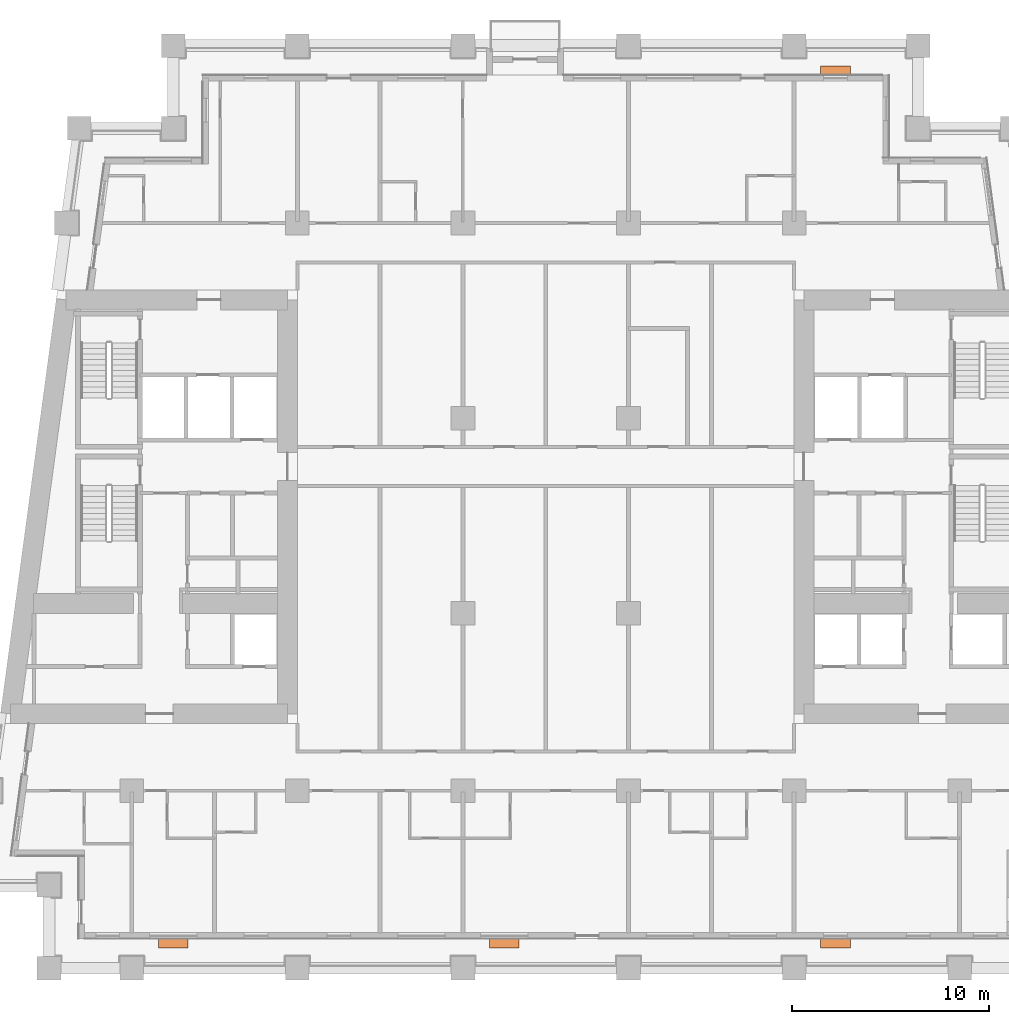
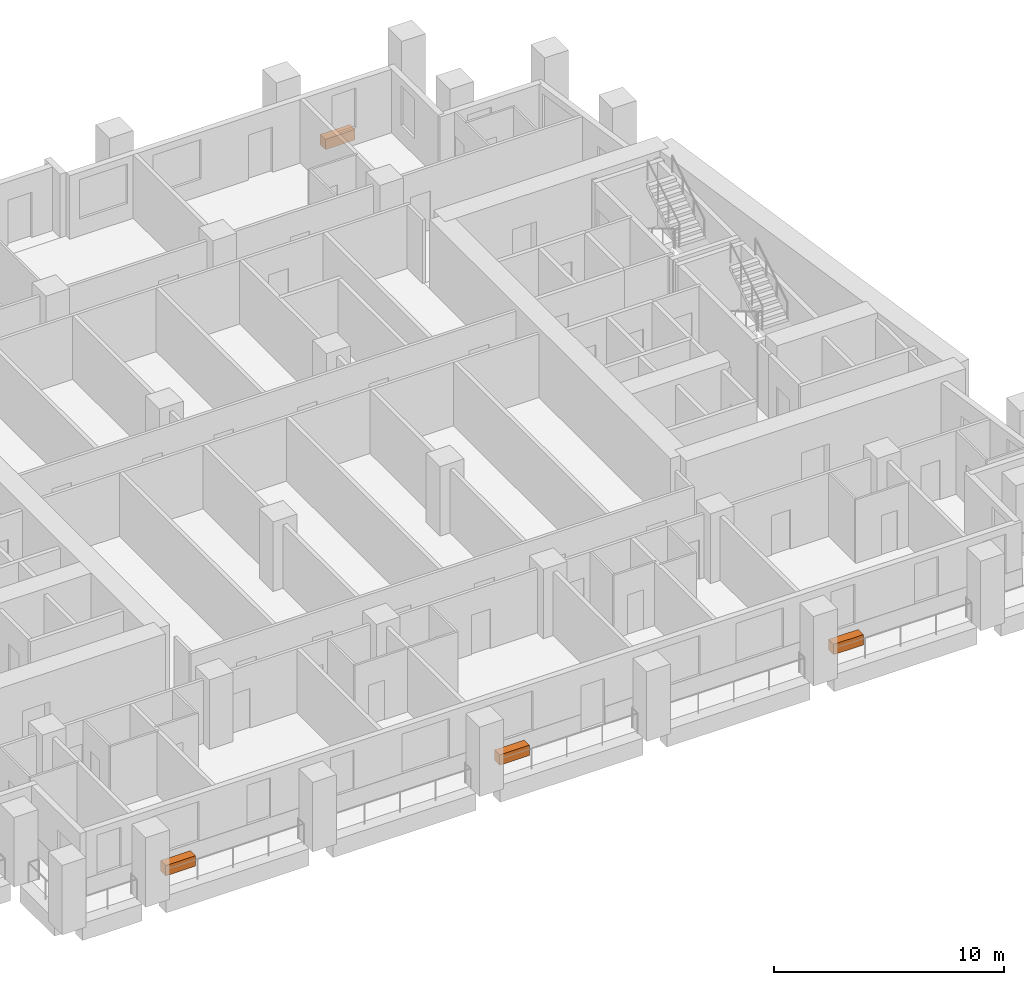
# One storey, part 13 of 13: 4 proxies.
"""IFC4 building model written with IfcOpenShell, lengths in metres."""

from ifc_helpers import new_model, si_unit, direction, frame, origin, origin_2d, place, context, subcontext, project, spatial, rectangle, extrude, element, save


model = new_model("IFC4")

# Units and contexts
model_context = context("Model", 3, precision=1e-05, world=origin(), true_north=direction((0.0, 1.0)))
body_context = subcontext(model_context, "Body", "Model", "MODEL_VIEW")
ifc_project = project(units=[si_unit("LENGTHUNIT", "METRE"), si_unit("AREAUNIT", "SQUARE_METRE"), si_unit("VOLUMEUNIT", "CUBIC_METRE"), si_unit("PLANEANGLEUNIT", "RADIAN"), si_unit("MASSUNIT", "GRAM", prefix="KILO")], contexts=[model_context])

# Site, building, storey
site_placement = place(None, origin())
site = spatial("IfcSite", under=ifc_project, at=site_placement, CompositionType="ELEMENT")
building_placement = place(site_placement, origin())
building = spatial("IfcBuilding", under=site, at=building_placement, Name="Candeia Pilgrim Tower and Theatre", CompositionType="ELEMENT")
storey_placement = place(building_placement, frame((0.0, 0.0, 98.39990234375)))
storey = spatial("IfcBuildingStorey", under=building, at=storey_placement, Name="L22", CompositionType="ELEMENT", Elevation=98.39990234375)

# Proxies
for number, where, z_axis, x_axis, name in (
    (1, (94.5, 99.2548828125, 0.0), (0.0, 0.0, 1.0), (1.0, 0.0, 0.0), "Planter"),
    (2, (111.300048828125, 99.2548828125, 0.0), (0.0, 0.0, 1.0), (1.0, 0.0, 0.0), "Planter"),
    (3, (128.10009765625, 99.2548828125, 0.0), (0.0, 0.0, 1.0), (1.0, 0.0, 0.0), "Planter"),
    (4, (128.10009765625, 143.544921875, 0.0), (0.0, 0.0, 1.0), (-1.0, 0.0, 0.0), "Planter"),
):
    element("IfcBuildingElementProxy", number, at=place(storey_placement, frame(where, z_axis=z_axis, x_axis=x_axis)), inside=storey, Name=name, ObjectType="PLANTER", PredefinedType="USERDEFINED", context=body_context, shape_type="SweptSolid", body=[
        extrude(rectangle(XDim=1.5, YDim=0.449951171875, at=origin_2d()), origin(), (0.0, 0.0, 1.0), 0.550048828125),
    ])

save(model, "model.ifc")
